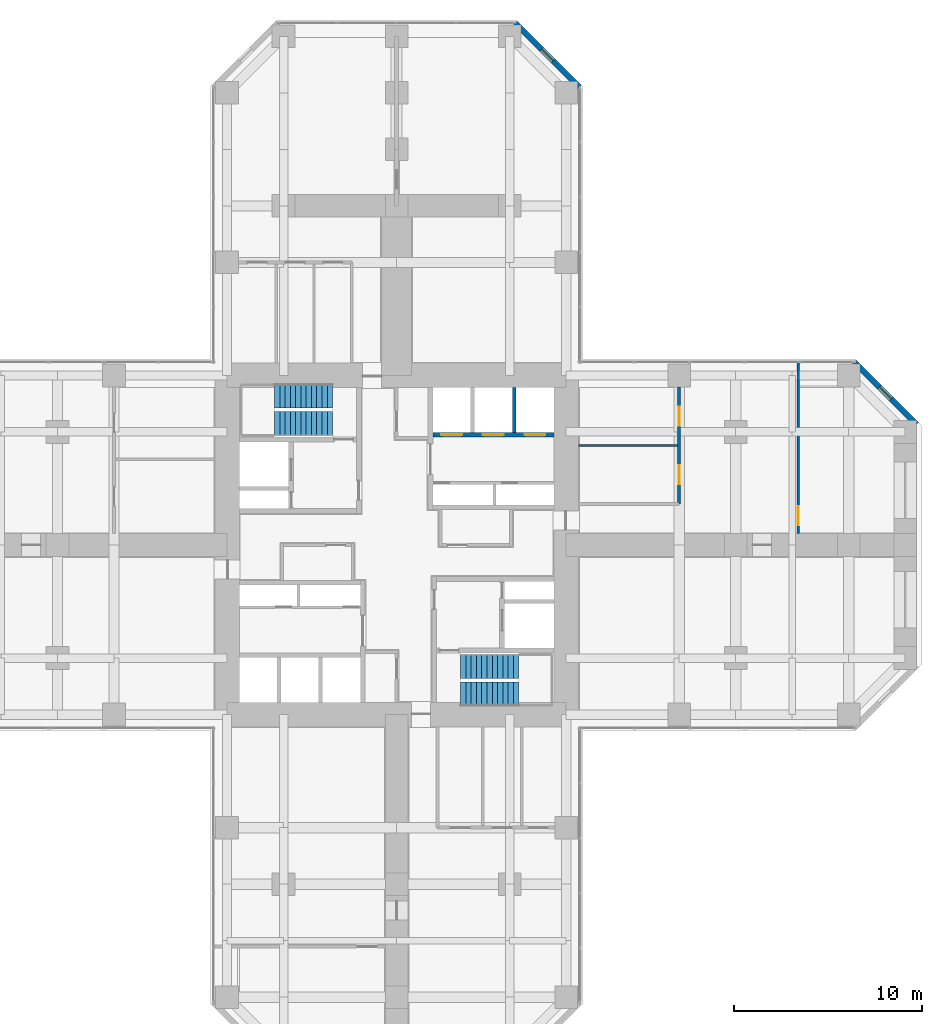
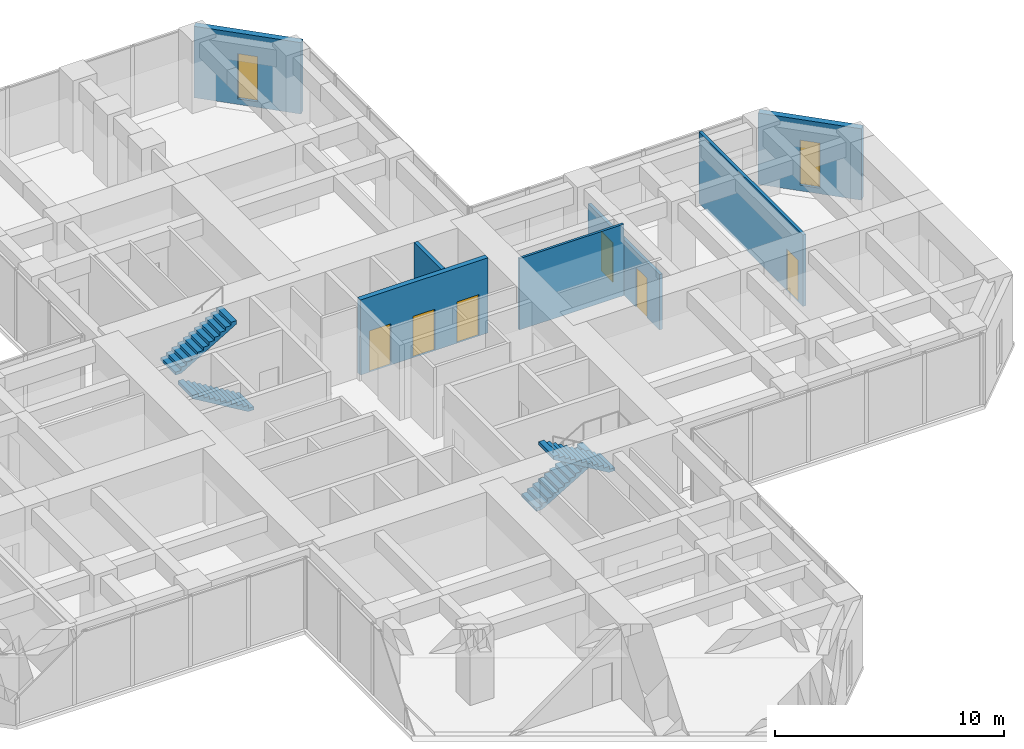
# One storey, part 11 of 12: 7 walls, 6 doors, 4 stair flights, 2 windows, 8 openings, 2 elements without a shape of their own.
"""IFC4 building model written with IfcOpenShell, lengths in metres."""

from ifc_helpers import new_model, si_unit, direction, frame, frame_2d, origin, place, context, subcontext, project, spatial, polyline, rectangle, hollow_rectangle, outline, extrude, material, layer, layer_set, constituent, constituent_set, type_object, element, fill, aggregate, save


model = new_model("IFC4")

# Units and contexts
model_context = context("Model", 3, precision=1e-05, world=origin(), true_north=direction((0.0, 1.0)))
body_context = subcontext(model_context, "Body", "Model", "MODEL_VIEW")
ifc_project = project(units=[si_unit("LENGTHUNIT", "METRE"), si_unit("AREAUNIT", "SQUARE_METRE"), si_unit("VOLUMEUNIT", "CUBIC_METRE"), si_unit("PLANEANGLEUNIT", "RADIAN"), si_unit("MASSUNIT", "GRAM", prefix="KILO")], contexts=[model_context])

# Site, building, storey
site_placement = place(None, origin())
site = spatial("IfcSite", under=ifc_project, at=site_placement, CompositionType="ELEMENT")
building_placement = place(site_placement, origin())
building = spatial("IfcBuilding", under=site, at=building_placement, Name="Torre Cruceta", CompositionType="ELEMENT")
storey_placement = place(building_placement, frame((0.0, 0.0, 67.5)))
storey = spatial("IfcBuildingStorey", under=building, at=storey_placement, Name="L16", CompositionType="ELEMENT", Elevation=67.5)

# Wall, openings, doors
ifc_material_1 = material(Name="Concrete G60 (fck 60 MPa)", Category="concrete")
ifc_layer_1 = layer(ifc_material_1, 0.25)
ifc_layer_set_1 = layer_set([ifc_layer_1], Name="Concrete G60 (fck 60 MPa)")
wall_type_1 = type_object("IfcWallType", Name="CORE INNER WALL 250 G60", PredefinedType="SHEAR", material=ifc_layer_set_1)
wall_1_placement = place(storey_placement, frame((1.925048828125, 5.85009765625, 0.0), z_axis=(0.0, 0.0, 1.0), x_axis=(1.0, 0.0, 0.0)))
wall_1 = element("IfcWall", 1, at=wall_1_placement, inside=storey, type_object=wall_type_1, Name="CW4 L16 NE-LV", PredefinedType="SHEAR", context=body_context, shape_type="SweptSolid", body=[
    extrude(rectangle(XDim=6.425048828125, YDim=0.25, at=frame_2d((3.21240234375, 0.0))), origin(), (0.0, 0.0, 1.0), 4.0),
])
opening_1_placement = place(wall_1_placement, frame((0.4541015625, 0.0, 0.0)))
opening_1 = element("IfcOpeningElement", 2, at=opening_1_placement, cuts=wall_1, Name="Opening LD1", PredefinedType="OPENING", context=body_context, shape_type="SweptSolid", body=[
    extrude(rectangle(XDim=1.10009765625, YDim=2.199951171875, at=frame_2d((0.550048828125, 1.10009765625))), frame((0.0, 0.135009765625, 0.0), z_axis=(0.0, -1.0, 0.0), x_axis=(1.0, 0.0, 0.0)), (0.0, 0.0, 1.0), 0.27001953125),
])
opening_2_placement = place(wall_1_placement, frame((2.66259765625, 0.0, 0.0)))
opening_2 = element("IfcOpeningElement", 3, at=opening_2_placement, cuts=wall_1, Name="Opening LD1", PredefinedType="OPENING", context=body_context, shape_type="SweptSolid", body=[
    extrude(rectangle(XDim=1.10009765625, YDim=2.199951171875, at=frame_2d((0.550048828125, 1.10009765625))), frame((0.0, 0.135009765625, 0.0), z_axis=(0.0, -1.0, 0.0), x_axis=(1.0, 0.0, 0.0)), (0.0, 0.0, 1.0), 0.27001953125),
])
opening_3_placement = place(wall_1_placement, frame((4.870849609375, 0.0, 0.0)))
opening_3 = element("IfcOpeningElement", 4, at=opening_3_placement, cuts=wall_1, Name="Opening LD1", PredefinedType="OPENING", context=body_context, shape_type="SweptSolid", body=[
    extrude(rectangle(XDim=1.10009765625, YDim=2.199951171875, at=frame_2d((0.550048828125, 1.10009765625))), frame((0.0, 0.135009765625, 0.0), z_axis=(0.0, -1.0, 0.0), x_axis=(1.0, 0.0, 0.0)), (0.0, 0.0, 1.0), 0.27001953125),
])
ifc_material_2 = material(Name="Stainless steel 1.4401", Category="steel")
door_type_1 = type_object("IfcDoorType", Name="LIFT LANDING DOOR 1100X2200", OperationType="DOUBLE_DOOR_SLIDING", PredefinedType="DOOR", material=ifc_material_2)
door_1_placement = place(opening_1_placement, origin())
door_1 = element("IfcDoor", 5, at=door_1_placement, inside=storey, type_object=door_type_1, Name="Lift landing door P1", OperationType="DOUBLE_DOOR_SLIDING", OverallHeight=2.199951171875, OverallWidth=1.10009765625, PredefinedType="DOOR", context=body_context, shape_type="SweptSolid", body=[
    extrude(rectangle(XDim=1.10009765625, YDim=2.199951171875, at=frame_2d((0.550048828125, 1.10009765625))), frame((0.0, 0.02490234375, 0.0), z_axis=(0.0, -1.0, 0.0), x_axis=(1.0, 0.0, 0.0)), (0.0, 0.0, 1.0), 0.050048828125),
])
fill(opening_1, door_1)
door_2_placement = place(opening_2_placement, origin())
door_2 = element("IfcDoor", 6, at=door_2_placement, inside=storey, type_object=door_type_1, Name="Lift landing door P2", OperationType="DOUBLE_DOOR_SLIDING", OverallHeight=2.199951171875, OverallWidth=1.10009765625, PredefinedType="DOOR", context=body_context, shape_type="SweptSolid", body=[
    extrude(rectangle(XDim=1.10009765625, YDim=2.199951171875, at=frame_2d((0.550048828125, 1.10009765625))), frame((0.0, 0.02490234375, 0.0), z_axis=(0.0, -1.0, 0.0), x_axis=(1.0, 0.0, 0.0)), (0.0, 0.0, 1.0), 0.050048828125),
])
fill(opening_2, door_2)
door_3_placement = place(opening_3_placement, origin())
door_3 = element("IfcDoor", 7, at=door_3_placement, inside=storey, type_object=door_type_1, Name="Lift landing door P3", OperationType="DOUBLE_DOOR_SLIDING", OverallHeight=2.199951171875, OverallWidth=1.10009765625, PredefinedType="DOOR", context=body_context, shape_type="SweptSolid", body=[
    extrude(rectangle(XDim=1.10009765625, YDim=2.199951171875, at=frame_2d((0.550048828125, 1.10009765625))), frame((0.0, 0.02490234375, 0.0), z_axis=(0.0, -1.0, 0.0), x_axis=(1.0, 0.0, 0.0)), (0.0, 0.0, 1.0), 0.050048828125),
])
fill(opening_3, door_3)

# Wall, opening, window
ifc_material_3 = material(Name="Concrete G30 (fck 30 MPa)", Category="concrete")
ifc_layer_2 = layer(ifc_material_3, 0.300048828125)
ifc_layer_set_2 = layer_set([ifc_layer_2], Name="Concrete G30 (fck 30 MPa)")
wall_type_2 = type_object("IfcWallType", Name="EXPOSED CONCRETE FACADE WALL 300", PredefinedType="SOLIDWALL", material=ifc_layer_set_2)
wall_2_placement = place(storey_placement, frame((27.60009765625, 6.418212890625, 0.0), z_axis=(0.0, 0.0, 1.0), x_axis=(-0.707106781187, 0.707106781187, 0.0)))
wall_2 = element("IfcWall", 8, at=wall_2_placement, inside=storey, type_object=wall_type_2, Name="EW1 facade wall L16 E chamfer 03", PredefinedType="SOLIDWALL", context=body_context, shape_type="SweptSolid", body=[
    extrude(rectangle(XDim=4.66943359375, YDim=0.300048828125, at=frame_2d((2.334716796875, 0.0))), origin(), (0.0, 0.0, 1.0), 3.800048828125),
])
opening_4_placement = place(wall_2_placement, frame((1.884765625, 0.0, 0.300048828125)))
opening_4 = element("IfcOpeningElement", 9, at=opening_4_placement, cuts=wall_2, Name="Opening WN5", PredefinedType="OPENING", context=body_context, shape_type="SweptSolid", body=[
    extrude(rectangle(XDim=0.89990234375, YDim=2.39990234375, at=frame_2d((0.449951171875, 1.199951171875))), frame((0.0, 0.159912109375, 0.0), z_axis=(0.0, -1.0, 0.0), x_axis=(1.0, 0.0, 0.0)), (0.0, 0.0, 1.0), 0.320068359375),
])
ifc_material_4 = material(Name="Aluminium window frame", Category="aluminium")
ifc_constituent_1 = constituent(ifc_material_4, Name="Frame")
ifc_material_5 = material(Name="Laminated insulating glass unit, low-iron clear", Category="glass")
ifc_constituent_2 = constituent(ifc_material_5, Name="Glazing")
ifc_constituent_set_1 = constituent_set(constituents=[ifc_constituent_1, ifc_constituent_2], Name="Aluminium window")
window_type = type_object("IfcWindowType", Name="CHAMFER SLOT WINDOW 900X2400", PartitioningType="SINGLE_PANEL", PredefinedType="WINDOW", material=ifc_constituent_set_1)
window_1_placement = place(opening_4_placement, origin())
window_1 = element("IfcWindow", 10, at=window_1_placement, inside=storey, type_object=window_type, Name="WN5 L16 E 1", OverallHeight=2.39990234375, OverallWidth=0.89990234375, PartitioningType="SINGLE_PANEL", PredefinedType="WINDOW", context=body_context, shape_type="SweptSolid", body=[
    extrude(hollow_rectangle(XDim=0.89990234375, YDim=2.39990234375, WallThickness=0.06005859375, at=frame_2d((0.449951171875, 1.199951171875))), frame((0.0, 0.030029296875, 0.0), z_axis=(0.0, -1.0, 0.0), x_axis=(1.0, 0.0, 0.0)), (0.0, 0.0, 1.0), 0.06005859375),
    extrude(rectangle(XDim=0.77880859375, YDim=2.27880859375, at=frame_2d((0.449951171875, 1.199951171875))), frame((0.0, 0.030029296875, 0.0), z_axis=(0.0, -1.0, 0.0), x_axis=(1.0, 0.0, 0.0)), (0.0, 0.0, 1.0), 0.06005859375),
])
fill(opening_4, window_1)

wall_3_placement = place(storey_placement, frame((9.719970703125, 24.29833984375, 0.0), z_axis=(0.0, 0.0, 1.0), x_axis=(-0.707106781187, 0.707106781187, 0.0)))
wall_3 = element("IfcWall", 11, at=wall_3_placement, inside=storey, type_object=wall_type_2, Name="EW1 facade wall L16 N chamfer 06", PredefinedType="SOLIDWALL", context=body_context, shape_type="SweptSolid", body=[
    extrude(rectangle(XDim=4.8388671875, YDim=0.300048828125, at=frame_2d((2.41943359375, 0.0))), origin(), (0.0, 0.0, 1.0), 3.800048828125),
])
opening_5_placement = place(wall_3_placement, frame((1.969482421875, 0.0, 0.300048828125)))
opening_5 = element("IfcOpeningElement", 12, at=opening_5_placement, cuts=wall_3, Name="Opening WN5", PredefinedType="OPENING", context=body_context, shape_type="SweptSolid", body=[
    extrude(rectangle(XDim=0.89990234375, YDim=2.39990234375, at=frame_2d((0.449951171875, 1.199951171875))), frame((0.0, 0.159912109375, 0.0), z_axis=(0.0, -1.0, 0.0), x_axis=(1.0, 0.0, 0.0)), (0.0, 0.0, 1.0), 0.320068359375),
])
window_2_placement = place(opening_5_placement, origin())
window_2 = element("IfcWindow", 13, at=window_2_placement, inside=storey, type_object=window_type, Name="WN5 L16 N 1", OverallHeight=2.39990234375, OverallWidth=0.89990234375, PartitioningType="SINGLE_PANEL", PredefinedType="WINDOW", context=body_context, shape_type="SweptSolid", body=[
    extrude(hollow_rectangle(XDim=0.89990234375, YDim=2.39990234375, WallThickness=0.06005859375, at=frame_2d((0.449951171875, 1.199951171875))), frame((0.0, 0.030029296875, 0.0), z_axis=(0.0, -1.0, 0.0), x_axis=(1.0, 0.0, 0.0)), (0.0, 0.0, 1.0), 0.06005859375),
    extrude(rectangle(XDim=0.77880859375, YDim=2.27880859375, at=frame_2d((0.449951171875, 1.199951171875))), frame((0.0, 0.030029296875, 0.0), z_axis=(0.0, -1.0, 0.0), x_axis=(1.0, 0.0, 0.0)), (0.0, 0.0, 1.0), 0.06005859375),
])
fill(opening_5, window_2)

# Wall
ifc_material_6 = material(Name="Concrete G35 (fck 35 MPa)", Category="concrete")
ifc_layer_3 = layer(ifc_material_6, 0.199951171875)
ifc_layer_set_3 = layer_set([ifc_layer_3], Name="Concrete G35 (fck 35 MPa)")
wall_type_3 = type_object("IfcWallType", Name="LIFT SHAFT WALL 200", PredefinedType="PARTITIONING", material=ifc_layer_set_3)
wall_4_placement = place(storey_placement, frame((6.24169921875, 5.97509765625, 0.0), z_axis=(0.0, 0.0, 1.0), x_axis=(0.0, 1.0, 0.0)))
element("IfcWall", 14, at=wall_4_placement, inside=storey, type_object=wall_type_3, Name="SW1 L16 NE-LS2", PredefinedType="PARTITIONING", context=body_context, shape_type="SweptSolid", body=[
    extrude(rectangle(XDim=2.375, YDim=0.199951171875, at=frame_2d((1.1875, 0.0))), origin(), (0.0, 0.0, 1.0), 4.0),
])

# Wall, openings, doors
ifc_material_7 = material(Name="Plasterboard on steel studs", Category="steel")
ifc_layer_4 = layer(ifc_material_7, 0.14990234375)
ifc_layer_set_4 = layer_set([ifc_layer_4], Name="Plasterboard on steel studs")
wall_type_4 = type_object("IfcWallType", Name="PARTITION 150", PredefinedType="PARTITIONING", material=ifc_layer_set_4)
wall_5_placement = place(storey_placement, frame((15.0, 2.175048828125, 0.0), z_axis=(0.0, 0.0, 1.0), x_axis=(0.0, 1.0, 0.0)))
wall_5 = element("IfcWall", 15, at=wall_5_placement, inside=storey, type_object=wall_type_4, Name="PT1 L16-E-BFL", PredefinedType="PARTITIONING", context=body_context, shape_type="SweptSolid", body=[
    extrude(rectangle(XDim=6.224853515625, YDim=0.14990234375, at=frame_2d((3.1123046875, 0.0))), origin(), (0.0, 0.0, 1.0), 2.949951171875),
])
opening_6_placement = place(wall_5_placement, frame((1.05615234375, 0.0, 0.0)))
opening_6 = element("IfcOpeningElement", 16, at=opening_6_placement, cuts=wall_5, Name="Opening D3", PredefinedType="OPENING", context=body_context, shape_type="SweptSolid", body=[
    extrude(rectangle(XDim=1.0, YDim=2.10009765625, at=frame_2d((0.5, 1.050048828125))), frame((0.0, 0.0849609375, 0.0), z_axis=(0.0, -1.0, 0.0), x_axis=(1.0, 0.0, 0.0)), (0.0, 0.0, 1.0), 0.169921875),
])
opening_7_placement = place(wall_5_placement, frame((4.168701171875, 0.0, 0.0)))
opening_7 = element("IfcOpeningElement", 17, at=opening_7_placement, cuts=wall_5, Name="Opening D3", PredefinedType="OPENING", context=body_context, shape_type="SweptSolid", body=[
    extrude(rectangle(XDim=1.0, YDim=2.10009765625, at=frame_2d((0.5, 1.050048828125))), frame((0.0, 0.0849609375, 0.0), z_axis=(0.0, -1.0, 0.0), x_axis=(1.0, 0.0, 0.0)), (0.0, 0.0, 1.0), 0.169921875),
])
ifc_material_8 = material(Name="Steel DX51D", Category="steel")
ifc_constituent_3 = constituent(ifc_material_8, Name="Leaf and frame")
ifc_material_9 = material(Name="Polyester powder coating", Category="paint")
ifc_constituent_4 = constituent(ifc_material_9, Name="Finish")
ifc_constituent_set_2 = constituent_set(constituents=[ifc_constituent_3, ifc_constituent_4], Name="Steel fire door")
door_type_2 = type_object("IfcDoorType", Name="FIRE DOOR 1000X2100", OperationType="SINGLE_SWING_LEFT", PredefinedType="DOOR", material=ifc_constituent_set_2)
door_4_placement = place(opening_6_placement, origin())
door_4 = element("IfcDoor", 18, at=door_4_placement, inside=storey, type_object=door_type_2, Name="D3 L16-E-BFL-D1", OperationType="SINGLE_SWING_LEFT", OverallHeight=2.10009765625, OverallWidth=1.0, PredefinedType="DOOR", context=body_context, shape_type="SweptSolid", body=[
    extrude(rectangle(XDim=1.0, YDim=2.10009765625, at=frame_2d((0.5, 1.050048828125))), frame((0.0, 0.02490234375, 0.0), z_axis=(0.0, -1.0, 0.0), x_axis=(1.0, 0.0, 0.0)), (0.0, 0.0, 1.0), 0.050048828125),
])
fill(opening_6, door_4)
door_5_placement = place(opening_7_placement, origin())
door_5 = element("IfcDoor", 19, at=door_5_placement, inside=storey, type_object=door_type_2, Name="D3 L16-E-BFL-D2", OperationType="SINGLE_SWING_LEFT", OverallHeight=2.10009765625, OverallWidth=1.0, PredefinedType="DOOR", context=body_context, shape_type="SweptSolid", body=[
    extrude(rectangle(XDim=1.0, YDim=2.10009765625, at=frame_2d((0.5, 1.050048828125))), frame((0.0, 0.02490234375, 0.0), z_axis=(0.0, -1.0, 0.0), x_axis=(1.0, 0.0, 0.0)), (0.0, 0.0, 1.0), 0.050048828125),
])
fill(opening_7, door_5)

# Wall, opening, door
wall_6_placement = place(storey_placement, frame((21.320068359375, 0.60009765625, 0.0), z_axis=(0.0, 0.0, 1.0), x_axis=(0.0, 1.0, 0.0)))
wall_6 = element("IfcWall", 20, at=wall_6_placement, inside=storey, type_object=wall_type_4, Name="PT1 L16-E-TWL", PredefinedType="PARTITIONING", context=body_context, shape_type="SweptSolid", body=[
    extrude(rectangle(XDim=9.079833984375, YDim=0.14990234375, at=frame_2d((4.5400390625, 0.0))), origin(), (0.0, 0.0, 1.0), 3.800048828125),
])
opening_8_placement = place(wall_6_placement, frame((0.449951171875, 0.0, 0.0)))
opening_8 = element("IfcOpeningElement", 21, at=opening_8_placement, cuts=wall_6, Name="Opening D14", PredefinedType="OPENING", context=body_context, shape_type="SweptSolid", body=[
    extrude(rectangle(XDim=1.0, YDim=2.199951171875, at=frame_2d((0.5, 1.10009765625))), frame((0.0, 0.0849609375, 0.0), z_axis=(0.0, -1.0, 0.0), x_axis=(1.0, 0.0, 0.0)), (0.0, 0.0, 1.0), 0.169921875),
])
ifc_material_10 = material(Name="Steel DX51D", Category="steel")
ifc_constituent_5 = constituent(ifc_material_10, Name="Leaf and frame")
ifc_material_11 = material(Name="Polyester powder coating", Category="paint")
ifc_constituent_6 = constituent(ifc_material_11, Name="Finish")
ifc_material_12 = material(Name="Fire-resisting glass", Category="glass")
ifc_constituent_7 = constituent(ifc_material_12, Name="Vision panel")
ifc_constituent_set_3 = constituent_set(constituents=[ifc_constituent_5, ifc_constituent_6, ifc_constituent_7], Name="Steel fire door with vision panel")
door_type_3 = type_object("IfcDoorType", Name="FIRE DOOR VISION PANEL 1000X2200", OperationType="SINGLE_SWING_RIGHT", PredefinedType="DOOR", material=ifc_constituent_set_3)
door_6_placement = place(opening_8_placement, frame((1.0, 0.0, 0.0), z_axis=(0.0, 0.0, 1.0), x_axis=(-1.0, 0.0, 0.0)))
door_6 = element("IfcDoor", 22, at=door_6_placement, inside=storey, type_object=door_type_3, Name="D14 L16-E-TWL-D1", OperationType="SINGLE_SWING_RIGHT", OverallHeight=2.199951171875, OverallWidth=1.0, PredefinedType="DOOR", context=body_context, shape_type="SweptSolid", body=[
    extrude(rectangle(XDim=1.0, YDim=2.199951171875, at=frame_2d((0.5, 1.10009765625))), frame((0.0, 0.025146484375, 0.0), z_axis=(0.0, -1.0, 0.0), x_axis=(1.0, 0.0, 0.0)), (0.0, 0.0, 1.0), 0.050048828125),
])
fill(opening_8, door_6)

# Wall
ifc_material_13 = material(Name="Plasterboard on steel studs", Category="steel")
ifc_layer_5 = layer(ifc_material_13, 0.1201171875)
ifc_layer_set_5 = layer_set([ifc_layer_5], Name="Plasterboard on steel studs")
wall_type_5 = type_object("IfcWallType", Name="WC PARTITION 120", PredefinedType="PLUMBINGWALL", material=ifc_layer_set_5)
wall_7_placement = place(storey_placement, frame((9.64990234375, 5.28759765625, 0.0), z_axis=(0.0, 0.0, 1.0), x_axis=(1.0, 0.0, 0.0)))
element("IfcWall", 23, at=wall_7_placement, inside=storey, type_object=wall_type_5, Name="PT5 L16-E-BDL1", PredefinedType="PLUMBINGWALL", context=body_context, shape_type="SweptSolid", body=[
    extrude(rectangle(XDim=5.25, YDim=0.1201171875, at=frame_2d((2.625, 0.0))), origin(), (0.0, 0.0, 1.0), 3.800048828125),
])

# Stair, stair flights
ifc_material_14 = material(Name="Concrete G30 (fck 30 MPa)", Category="concrete")
stair_type = type_object("IfcStairType", Name="STAIR HALF-TURN 1300", PredefinedType="HALF_TURN_STAIR", material=ifc_material_14)
stair_1_placement = place(storey_placement, origin())
stair_1 = element("IfcStair", 24, at=stair_1_placement, inside=storey, type_object=stair_type, Name="Stair ST1 L16", PredefinedType="HALF_TURN_STAIR")
ifc_material_15 = material(Name="Concrete G30 (fck 30 MPa)", Category="concrete")
stair_flight_type = type_object("IfcStairFlightType", Name="STAIR FLIGHT 1300", PredefinedType="STRAIGHT", material=ifc_material_15)
stair_flight_1_placement = place(storey_placement, frame((-3.39990234375, 6.425048828125, 0.0), z_axis=(0.0, 0.0, 1.0), x_axis=(-1.0, 0.0, 0.0)))
stair_flight_1 = element("IfcStairFlight", 25, at=stair_flight_1_placement, type_object=stair_flight_type, Name="ST1 flight 1", NumberOfRisers=12, NumberOfTreads=11, PredefinedType="STRAIGHT", RiserHeight=0.166666667, TreadLength=0.28, context=body_context, shape_type="SweptSolid", body=[
    extrude(outline(polyline([(0.0, 0.0), (0.0, 0.166748046875), (0.280029296875, 0.166748046875), (0.280029296875, 0.333251953125), (0.56005859375, 0.333251953125), (0.56005859375, 0.5), (0.840087890625, 0.5), (0.840087890625, 0.666748046875), (1.1201171875, 0.666748046875), (1.1201171875, 0.833251953125), (1.39990234375, 0.833251953125), (1.39990234375, 1.0), (1.679931640625, 1.0), (1.679931640625, 1.166748046875), (1.9599609375, 1.166748046875), (1.9599609375, 1.333251953125), (2.239990234375, 1.333251953125), (2.239990234375, 1.5), (2.52001953125, 1.5), (2.52001953125, 1.666748046875), (2.800048828125, 1.666748046875), (2.800048828125, 1.833251953125), (3.080078125, 1.833251953125), (3.080078125, 2.0), (3.080078125, 1.658935546875), (0.29296875, 0.0), (0.0, 0.0)])), frame((0.0, 0.64990234375, 0.0), z_axis=(0.0, -1.0, 0.0), x_axis=(1.0, 0.0, 0.0)), (0.0, 0.0, 1.0), 1.300048828125),
])
stair_flight_2_placement = place(storey_placement, frame((-6.47998046875, 7.925048828125, 2.0), z_axis=(0.0, 0.0, 1.0), x_axis=(1.0, 0.0, 0.0)))
stair_flight_2 = element("IfcStairFlight", 26, at=stair_flight_2_placement, type_object=stair_flight_type, Name="ST1 flight 2", NumberOfRisers=12, NumberOfTreads=11, PredefinedType="STRAIGHT", RiserHeight=0.166666667, TreadLength=0.28, context=body_context, shape_type="SweptSolid", body=[
    extrude(outline(polyline([(0.0, 0.0), (0.0, 0.166748046875), (0.280029296875, 0.166748046875), (0.280029296875, 0.333251953125), (0.56005859375, 0.333251953125), (0.56005859375, 0.5), (0.840087890625, 0.5), (0.840087890625, 0.666748046875), (1.1201171875, 0.666748046875), (1.1201171875, 0.833251953125), (1.39990234375, 0.833251953125), (1.39990234375, 1.0), (1.679931640625, 1.0), (1.679931640625, 1.166748046875), (1.9599609375, 1.166748046875), (1.9599609375, 1.333251953125), (2.239990234375, 1.333251953125), (2.239990234375, 1.5), (2.52001953125, 1.5), (2.52001953125, 1.666748046875), (2.800048828125, 1.666748046875), (2.800048828125, 1.833251953125), (3.080078125, 1.833251953125), (3.080078125, 2.0), (3.080078125, 1.658935546875), (0.29296875, 0.0), (0.0, 0.0)])), frame((0.0, 0.64990234375, 0.0), z_axis=(0.0, -1.0, 0.0), x_axis=(1.0, 0.0, 0.0)), (0.0, 0.0, 1.0), 1.300048828125),
])
aggregate(stair_1, [stair_flight_1, stair_flight_2])

stair_2_placement = place(storey_placement, origin())
stair_2 = element("IfcStair", 27, at=stair_2_placement, inside=storey, type_object=stair_type, Name="Stair ST2 L16", PredefinedType="HALF_TURN_STAIR")
stair_flight_3_placement = place(storey_placement, frame((3.39990234375, -6.425048828125, 0.0), z_axis=(0.0, 0.0, 1.0), x_axis=(1.0, 0.0, 0.0)))
stair_flight_3 = element("IfcStairFlight", 28, at=stair_flight_3_placement, type_object=stair_flight_type, Name="ST2 flight 1", NumberOfRisers=12, NumberOfTreads=11, PredefinedType="STRAIGHT", RiserHeight=0.166666667, TreadLength=0.28, context=body_context, shape_type="SweptSolid", body=[
    extrude(outline(polyline([(0.0, 0.0), (0.0, 0.166748046875), (0.280029296875, 0.166748046875), (0.280029296875, 0.333251953125), (0.56005859375, 0.333251953125), (0.56005859375, 0.5), (0.840087890625, 0.5), (0.840087890625, 0.666748046875), (1.1201171875, 0.666748046875), (1.1201171875, 0.833251953125), (1.39990234375, 0.833251953125), (1.39990234375, 1.0), (1.679931640625, 1.0), (1.679931640625, 1.166748046875), (1.9599609375, 1.166748046875), (1.9599609375, 1.333251953125), (2.239990234375, 1.333251953125), (2.239990234375, 1.5), (2.52001953125, 1.5), (2.52001953125, 1.666748046875), (2.800048828125, 1.666748046875), (2.800048828125, 1.833251953125), (3.080078125, 1.833251953125), (3.080078125, 2.0), (3.080078125, 1.658935546875), (0.29296875, 0.0), (0.0, 0.0)])), frame((0.0, 0.64990234375, 0.0), z_axis=(0.0, -1.0, 0.0), x_axis=(1.0, 0.0, 0.0)), (0.0, 0.0, 1.0), 1.300048828125),
])
stair_flight_4_placement = place(storey_placement, frame((6.47998046875, -7.925048828125, 2.0), z_axis=(0.0, 0.0, 1.0), x_axis=(-1.0, 0.0, 0.0)))
stair_flight_4 = element("IfcStairFlight", 29, at=stair_flight_4_placement, type_object=stair_flight_type, Name="ST2 flight 2", NumberOfRisers=12, NumberOfTreads=11, PredefinedType="STRAIGHT", RiserHeight=0.166666667, TreadLength=0.28, context=body_context, shape_type="SweptSolid", body=[
    extrude(outline(polyline([(0.0, 0.0), (0.0, 0.166748046875), (0.280029296875, 0.166748046875), (0.280029296875, 0.333251953125), (0.56005859375, 0.333251953125), (0.56005859375, 0.5), (0.840087890625, 0.5), (0.840087890625, 0.666748046875), (1.1201171875, 0.666748046875), (1.1201171875, 0.833251953125), (1.39990234375, 0.833251953125), (1.39990234375, 1.0), (1.679931640625, 1.0), (1.679931640625, 1.166748046875), (1.9599609375, 1.166748046875), (1.9599609375, 1.333251953125), (2.239990234375, 1.333251953125), (2.239990234375, 1.5), (2.52001953125, 1.5), (2.52001953125, 1.666748046875), (2.800048828125, 1.666748046875), (2.800048828125, 1.833251953125), (3.080078125, 1.833251953125), (3.080078125, 2.0), (3.080078125, 1.658935546875), (0.29296875, 0.0), (0.0, 0.0)])), frame((0.0, 0.64990234375, 0.0), z_axis=(0.0, -1.0, 0.0), x_axis=(1.0, 0.0, 0.0)), (0.0, 0.0, 1.0), 1.300048828125),
])
aggregate(stair_2, [stair_flight_3, stair_flight_4])

save(model, "model.ifc")
